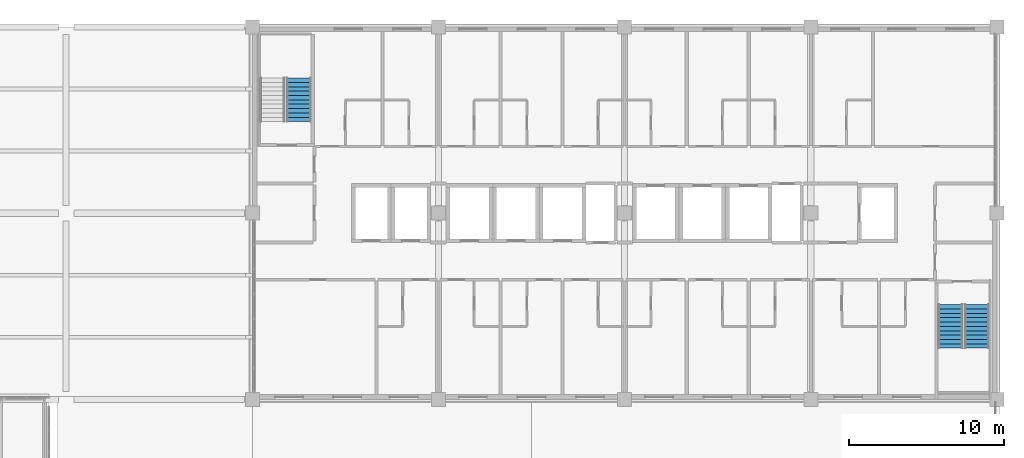
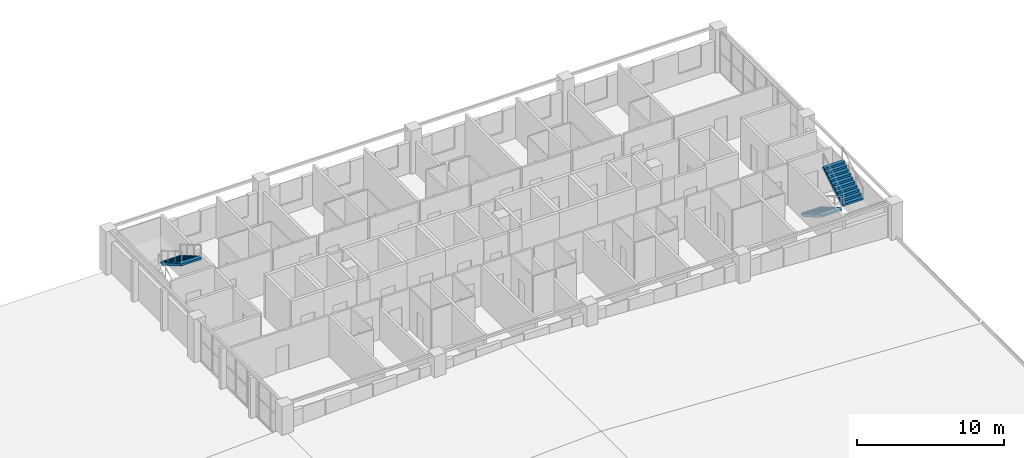
# One storey, part 92 of 94: 3 stair flights, 2 elements without a shape of their own.
"""IFC4 building model written with IfcOpenShell, lengths in metres."""

from ifc_helpers import new_model, si_unit, direction, frame, origin, place, context, subcontext, project, spatial, polyline, outline, extrude, material, type_object, element, aggregate, save


model = new_model("IFC4")

# Units and contexts
model_context = context("Model", 3, precision=1e-05, world=origin(), true_north=direction((0.0, 1.0)))
body_context = subcontext(model_context, "Body", "Model", "MODEL_VIEW")
ifc_project = project(units=[si_unit("LENGTHUNIT", "METRE"), si_unit("AREAUNIT", "SQUARE_METRE"), si_unit("VOLUMEUNIT", "CUBIC_METRE"), si_unit("PLANEANGLEUNIT", "RADIAN"), si_unit("MASSUNIT", "GRAM", prefix="KILO")], contexts=[model_context])

# Site, building, storey
site_placement = place(None, origin())
site = spatial("IfcSite", under=ifc_project, at=site_placement, CompositionType="ELEMENT")
building_placement = place(site_placement, origin())
building = spatial("IfcBuilding", under=site, at=building_placement, Name="Lilac Gate Convention Centre", CompositionType="ELEMENT")
storey_placement = place(building_placement, frame((0.0, 0.0, 21.0)))
storey = spatial("IfcBuildingStorey", under=building, at=storey_placement, Name="L04", CompositionType="ELEMENT", Elevation=21.0)

# Stair, stair flight
ifc_material = material(Name="Concrete C40", Category="concrete")
stair_type = type_object("IfcStairType", Name="Exit stair", PredefinedType="DOUBLE_RETURN_STAIR", material=ifc_material)
stair_1_placement = place(storey_placement, origin())
stair_1 = element("IfcStair", 1, at=stair_1_placement, inside=storey, type_object=stair_type, Name="Exit stair NW L04", PredefinedType="DOUBLE_RETURN_STAIR")
stair_flight_type = type_object("IfcStairFlightType", Name="Exit stair flight", PredefinedType="STRAIGHT", material=ifc_material)
stair_flight_1_placement = place(storey_placement, frame((45.0, 242.699951171875, 1.800048828125), z_axis=(0.0, 0.0, 1.0), x_axis=(0.0, -1.0, 0.0)))
stair_flight_1 = element("IfcStairFlight", 2, at=stair_flight_1_placement, type_object=stair_flight_type, Name="ST-NW flight 2", NumberOfRisers=11, NumberOfTreads=10, PredefinedType="STRAIGHT", RiserHeight=0.163636364, TreadLength=0.28, context=body_context, shape_type="SweptSolid", body=[
    extrude(outline(polyline([(0.0, 0.0), (0.0, 0.16357421875), (0.280029296875, 0.16357421875), (0.280029296875, 0.327392578125), (0.56005859375, 0.327392578125), (0.56005859375, 0.490966796875), (0.840087890625, 0.490966796875), (0.840087890625, 0.654541015625), (1.1201171875, 0.654541015625), (1.1201171875, 0.818115234375), (1.39990234375, 0.818115234375), (1.39990234375, 0.98193359375), (1.679931640625, 0.98193359375), (1.679931640625, 1.1455078125), (1.9599609375, 1.1455078125), (1.9599609375, 1.30908203125), (2.239990234375, 1.30908203125), (2.239990234375, 1.47265625), (2.52001953125, 1.47265625), (2.52001953125, 1.636474609375), (2.800048828125, 1.636474609375), (2.800048828125, 1.800048828125), (2.800048828125, 1.462646484375), (0.297119140625, 0.0), (0.0, 0.0)])), frame((0.0, 0.800048828125, 0.0), z_axis=(0.0, -1.0, 0.0), x_axis=(1.0, 0.0, 0.0)), (0.0, 0.0, 1.0), 1.60009765625),
])
aggregate(stair_1, [stair_flight_1])

# Stair, stair flights
stair_2_placement = place(storey_placement, origin())
stair_2 = element("IfcStair", 3, at=stair_2_placement, inside=storey, type_object=stair_type, Name="Exit stair SE L04", PredefinedType="DOUBLE_RETURN_STAIR")
stair_flight_2_placement = place(storey_placement, frame((87.0, 228.10009765625, 0.0), z_axis=(0.0, 0.0, 1.0), x_axis=(0.0, -1.0, 0.0)))
stair_flight_2 = element("IfcStairFlight", 4, at=stair_flight_2_placement, type_object=stair_flight_type, Name="ST-SE flight 1", NumberOfRisers=11, NumberOfTreads=10, PredefinedType="STRAIGHT", RiserHeight=0.163636364, TreadLength=0.28, context=body_context, shape_type="SweptSolid", body=[
    extrude(outline(polyline([(0.0, 0.0), (0.0, 0.16357421875), (0.280029296875, 0.16357421875), (0.280029296875, 0.327392578125), (0.56005859375, 0.327392578125), (0.56005859375, 0.490966796875), (0.840087890625, 0.490966796875), (0.840087890625, 0.654541015625), (1.1201171875, 0.654541015625), (1.1201171875, 0.818115234375), (1.39990234375, 0.818115234375), (1.39990234375, 0.98193359375), (1.679931640625, 0.98193359375), (1.679931640625, 1.1455078125), (1.9599609375, 1.1455078125), (1.9599609375, 1.30908203125), (2.239990234375, 1.30908203125), (2.239990234375, 1.47265625), (2.52001953125, 1.47265625), (2.52001953125, 1.636474609375), (2.800048828125, 1.636474609375), (2.800048828125, 1.800048828125), (2.800048828125, 1.462646484375), (0.297119140625, 0.0), (0.0, 0.0)])), frame((0.0, 0.800048828125, 0.0), z_axis=(0.0, -1.0, 0.0), x_axis=(1.0, 0.0, 0.0)), (0.0, 0.0, 1.0), 1.60009765625),
])
stair_flight_3_placement = place(storey_placement, frame((88.699951171875, 225.300048828125, 1.800048828125), z_axis=(0.0, 0.0, 1.0), x_axis=(0.0, 1.0, 0.0)))
stair_flight_3 = element("IfcStairFlight", 5, at=stair_flight_3_placement, type_object=stair_flight_type, Name="ST-SE flight 2", NumberOfRisers=11, NumberOfTreads=10, PredefinedType="STRAIGHT", RiserHeight=0.163636364, TreadLength=0.28, context=body_context, shape_type="SweptSolid", body=[
    extrude(outline(polyline([(0.0, 0.0), (0.0, 0.16357421875), (0.280029296875, 0.16357421875), (0.280029296875, 0.327392578125), (0.56005859375, 0.327392578125), (0.56005859375, 0.490966796875), (0.840087890625, 0.490966796875), (0.840087890625, 0.654541015625), (1.1201171875, 0.654541015625), (1.1201171875, 0.818115234375), (1.39990234375, 0.818115234375), (1.39990234375, 0.98193359375), (1.679931640625, 0.98193359375), (1.679931640625, 1.1455078125), (1.9599609375, 1.1455078125), (1.9599609375, 1.30908203125), (2.239990234375, 1.30908203125), (2.239990234375, 1.47265625), (2.52001953125, 1.47265625), (2.52001953125, 1.636474609375), (2.800048828125, 1.636474609375), (2.800048828125, 1.800048828125), (2.800048828125, 1.462646484375), (0.297119140625, 0.0), (0.0, 0.0)])), frame((0.0, 0.800048828125, 0.0), z_axis=(0.0, -1.0, 0.0), x_axis=(1.0, 0.0, 0.0)), (0.0, 0.0, 1.0), 1.60009765625),
])
aggregate(stair_2, [stair_flight_2, stair_flight_3])

save(model, "model.ifc")
